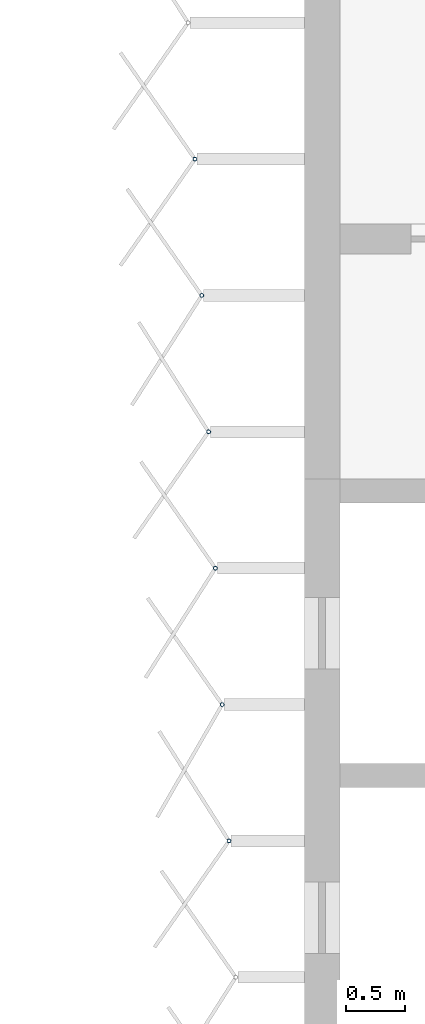
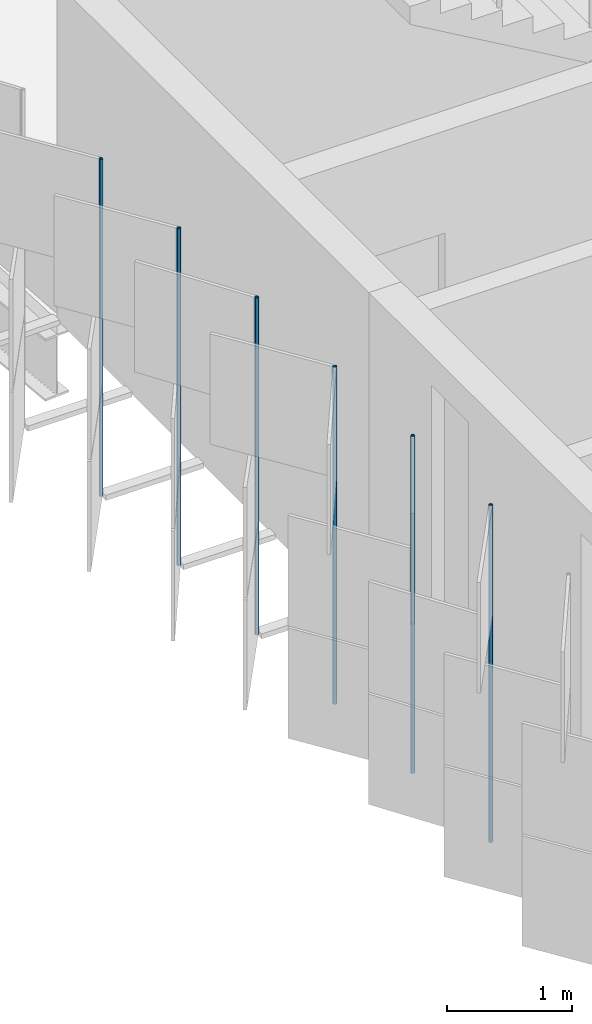
# One storey, part 98 of 198: 6 discrete accessories.
"""IFC4 building model written with IfcOpenShell, lengths in metres."""

from ifc_helpers import new_model, si_unit, direction, frame, origin, origin_2d, place, context, subcontext, project, spatial, hollow_circle, extrude, material, material_profile, profile_set, type_object, element, save


model = new_model("IFC4")

# Units and contexts
model_context = context("Model", 3, precision=1e-05, world=origin(), true_north=direction((0.0, 1.0)))
body_context = subcontext(model_context, "Body", "Model", "MODEL_VIEW")
ifc_project = project(units=[si_unit("LENGTHUNIT", "METRE"), si_unit("AREAUNIT", "SQUARE_METRE"), si_unit("VOLUMEUNIT", "CUBIC_METRE"), si_unit("PLANEANGLEUNIT", "RADIAN"), si_unit("MASSUNIT", "GRAM", prefix="KILO")], contexts=[model_context])

# Site, building, storey
site_placement = place(None, origin())
site = spatial("IfcSite", under=ifc_project, at=site_placement, CompositionType="ELEMENT")
building_placement = place(site_placement, origin())
building = spatial("IfcBuilding", under=site, at=building_placement, Name="Parallax Yard Mobility Hub", CompositionType="ELEMENT")
storey_placement = place(building_placement, frame((0.0, 0.0, 6.60009765625)))
storey = spatial("IfcBuildingStorey", under=building, at=storey_placement, Name="L02", CompositionType="ELEMENT", Elevation=6.60009765625)

# Discrete accessories
ifc_material = material(Name="Steel ASTM A500 Gr C, hot-dip galvanised", Category="steel")
ifc_material_profile = material_profile(ifc_material, hollow_circle(Radius=0.016845703125, WallThickness=0.003173828125, at=origin_2d()), Name="CHS 33.7x3.2")
ifc_profile_set = profile_set([ifc_material_profile], Name="Steel ASTM A500 Gr C, hot-dip galvanised")
discrete_accessory_type = type_object("IfcDiscreteAccessoryType", Name="Hinge post CHS 33.7x3.2", PredefinedType="BRACKET", material=ifc_profile_set)
for number, where, z_axis, x_axis, name in (
    (1, (194.077392578125, 87.69921875, 0.0), (0.0, 0.0, 1.0), (1.0, 0.0, 0.0), "Hinge post bay 23.3 level L02"),
    (2, (194.134765625, 86.549072265625, 0.0), (0.0, 0.0, 1.0), (1.0, 0.0, 0.0), "Hinge post bay 23.4 level L02"),
    (3, (194.1923828125, 85.39892578125, 0.0), (0.0, 0.0, 1.0), (1.0, 0.0, 0.0), "Hinge post bay 23.5 level L02"),
    (4, (194.249755859375, 84.248779296875, 0.0), (0.0, 0.0, 1.0), (1.0, 0.0, 0.0), "Hinge post bay 23.6 level L02"),
    (5, (194.307373046875, 83.098388671875, 0.0), (0.0, 0.0, 1.0), (1.0, 0.0, 0.0), "Hinge post bay 23.7 level L02"),
    (6, (194.36474609375, 81.948486328125, 0.0), (0.0, 0.0, 1.0), (1.0, 0.0, 0.0), "Hinge post bay 23.8 level L02"),
):
    element("IfcDiscreteAccessory", number, at=place(storey_placement, frame(where, z_axis=z_axis, x_axis=x_axis)), inside=storey, type_object=discrete_accessory_type, Name=name, PredefinedType="BRACKET", context=body_context, shape_type="SweptSolid", body=[
        extrude(hollow_circle(Radius=0.016845703125, WallThickness=0.003173828125, at=origin_2d()), origin(), (0.0, 0.0, 1.0), 3.2998046875),
    ])

save(model, "model.ifc")
